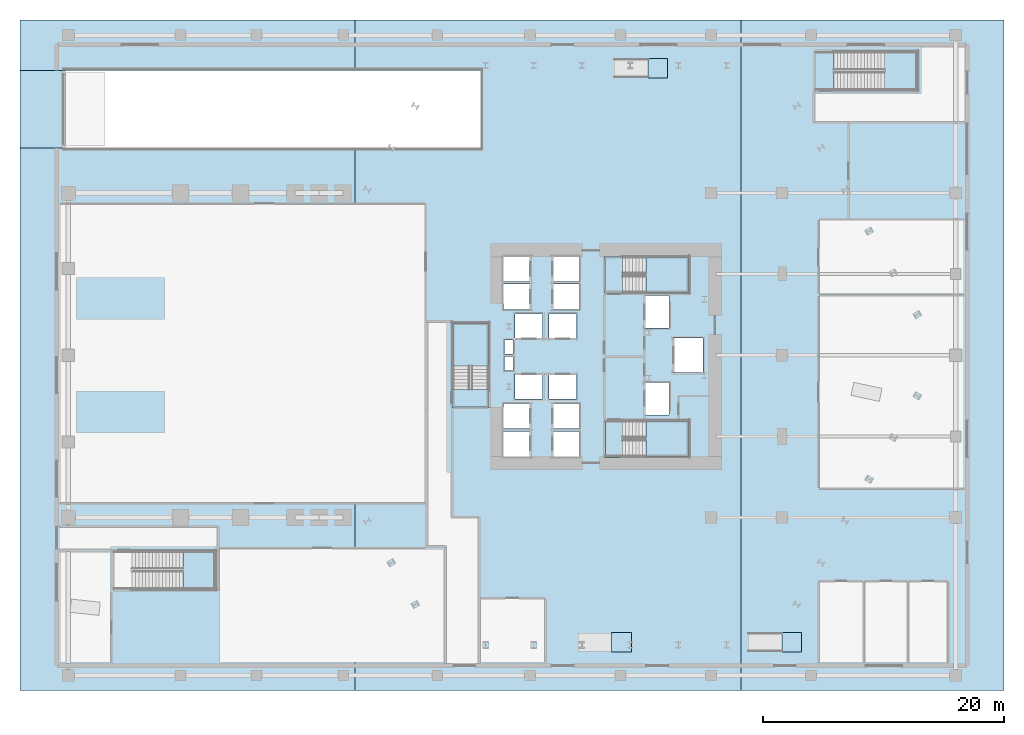
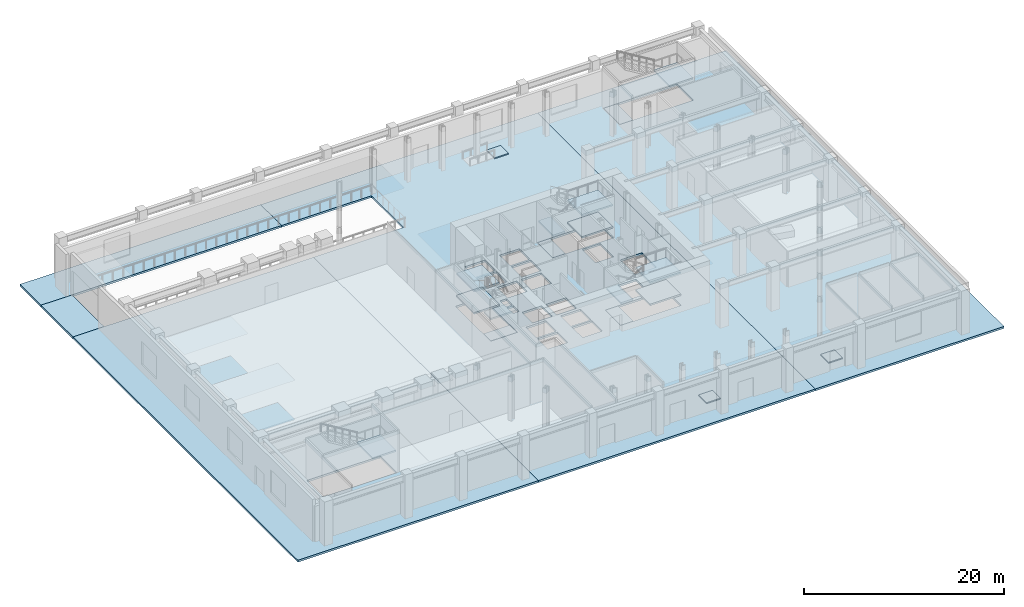
# One storey, part 2 of 18: 23 slabs, 8 elements without a shape of their own.
"""IFC4 building model written with IfcOpenShell, lengths in metres."""

from ifc_helpers import new_model, si_unit, direction, frame, origin, place, context, subcontext, project, spatial, polyline, outline, extrude, material, layer, layer_set, type_object, element, aggregate, save


model = new_model("IFC4")

# Units and contexts
model_context = context("Model", 3, precision=1e-05, world=origin(), true_north=direction((0.0, 1.0)))
body_context = subcontext(model_context, "Body", "Model", "MODEL_VIEW")
ifc_project = project(units=[si_unit("LENGTHUNIT", "METRE"), si_unit("AREAUNIT", "SQUARE_METRE"), si_unit("VOLUMEUNIT", "CUBIC_METRE"), si_unit("PLANEANGLEUNIT", "RADIAN"), si_unit("MASSUNIT", "GRAM", prefix="KILO")], contexts=[model_context])

# Site, building, storey
site_placement = place(None, origin())
site = spatial("IfcSite", under=ifc_project, at=site_placement, CompositionType="ELEMENT")
building_placement = place(site_placement, origin())
building = spatial("IfcBuilding", under=site, at=building_placement, Name="Valkerne Bourse Tower", CompositionType="ELEMENT")
storey_placement = place(building_placement, origin())
storey = spatial("IfcBuildingStorey", under=building, at=storey_placement, Name="L00", CompositionType="ELEMENT", Elevation=0.0)

# Slabs
ifc_material = material(Name="Concrete C40/50", Category="concrete")
ifc_layer_1 = layer(ifc_material, 0.25)
ifc_layer_set_1 = layer_set([ifc_layer_1], Name="Concrete C40/50")
slab_type_1 = type_object("IfcSlabType", Name="SLB-APRON-250", PredefinedType="FLOOR", material=ifc_layer_set_1)
slab_1_placement = place(storey_placement, frame((0.0, 0.0, -0.25)))
element("IfcSlab", 1, at=slab_1_placement, inside=storey, type_object=slab_type_1, Name="L00 West Street Vehicle Ramp Driveway Apron", PredefinedType="FLOOR", context=body_context, shape_type="SweptSolid", body=[
    extrude(outline(polyline([(-1.800048828125, 44.199951171875), (1.800048828125, 44.199951171875), (1.800048828125, 50.60009765625), (-1.800048828125, 50.60009765625), (-1.800048828125, 44.199951171875)])), origin(), (0.0, 0.0, 1.0), 0.25),
])
ifc_layer_2 = layer(ifc_material, 0.239990234375)
ifc_layer_set_2 = layer_set([ifc_layer_2], Name="Concrete C40/50")
slab_type_2 = type_object("IfcSlabType", Name="SLB-POD-240", PredefinedType="FLOOR", material=ifc_layer_set_2)
slab_2_placement = place(storey_placement, frame((0.0, 0.0, -0.239990234375)))
element("IfcSlab", 2, at=slab_2_placement, inside=storey, type_object=slab_type_2, Name="L00 Podium Composite Floor Slab W", PredefinedType="FLOOR", context=body_context, shape_type="SweptSolid", body=[
    extrude(outline(polyline([(26.0, -0.800048828125), (-1.800048828125, -0.800048828125), (-1.800048828125, 44.199951171875), (1.800048828125, 44.199951171875), (26.0, 44.199951171875), (26.0, -0.800048828125)]), holes=[polyline([(14.425048828125, 7.534912109375), (14.425048828125, 10.81494140625), (5.9150390625, 10.81494140625), (5.9150390625, 7.534912109375), (14.425048828125, 7.534912109375)])]), origin(), (0.0, 0.0, 1.0), 0.239990234375),
])
slab_3_placement = place(storey_placement, frame((0.0, 0.0, -0.239990234375)))
element("IfcSlab", 3, at=slab_3_placement, inside=storey, type_object=slab_type_2, Name="L00 Podium Composite Floor Slab W2", PredefinedType="FLOOR", context=body_context, shape_type="SweptSolid", body=[
    extrude(outline(polyline([(26.0, 54.800048828125), (26.0, 50.60009765625), (1.800048828125, 50.60009765625), (-1.800048828125, 50.60009765625), (-1.800048828125, 54.800048828125), (26.0, 54.800048828125)])), origin(), (0.0, 0.0, 1.0), 0.239990234375),
])
slab_4_placement = place(storey_placement, frame((0.0, 0.0, -0.239990234375)))
element("IfcSlab", 4, at=slab_4_placement, inside=storey, type_object=slab_type_2, Name="L00 Podium Composite Floor Slab C", PredefinedType="FLOOR", context=body_context, shape_type="SweptSolid", body=[
    extrude(outline(polyline([(26.0, 54.800048828125), (58.0, 54.800048828125), (58.0, -0.800048828125), (26.0, -0.800048828125), (26.0, 44.199951171875), (36.39990234375, 44.199951171875), (36.39990234375, 50.60009765625), (26.0, 50.60009765625), (26.0, 54.800048828125)]), holes=[polyline([(40.590087890625, 18.610107421875), (40.590087890625, 20.68994140625), (38.31005859375, 20.68994140625), (38.31005859375, 18.610107421875), (40.590087890625, 18.610107421875)]), polyline([(40.590087890625, 20.909912109375), (40.590087890625, 22.989990234375), (38.31005859375, 22.989990234375), (38.31005859375, 20.909912109375), (40.590087890625, 20.909912109375)]), polyline([(39.260009765625, 23.360107421875), (41.5400390625, 23.360107421875), (41.5400390625, 25.43994140625), (39.260009765625, 25.43994140625), (39.260009765625, 23.360107421875)]), polyline([(37.114990234375, 22.6650390625), (37.114990234375, 29.675048828125), (34.034912109375, 29.675048828125), (34.034912109375, 22.6650390625), (37.114990234375, 22.6650390625)]), polyline([(39.10009765625, 25.72998046875), (39.10009765625, 26.89990234375), (38.3798828125, 26.89990234375), (38.3798828125, 25.72998046875), (39.10009765625, 25.72998046875)]), polyline([(38.3798828125, 27.10009765625), (39.10009765625, 27.10009765625), (39.10009765625, 28.27001953125), (38.3798828125, 28.27001953125), (38.3798828125, 27.10009765625)]), polyline([(39.260009765625, 28.360107421875), (41.5400390625, 28.360107421875), (41.5400390625, 30.43994140625), (39.260009765625, 30.43994140625), (39.260009765625, 28.360107421875)]), polyline([(44.340087890625, 28.360107421875), (44.340087890625, 30.43994140625), (42.06005859375, 30.43994140625), (42.06005859375, 28.360107421875), (44.340087890625, 28.360107421875)]), polyline([(38.31005859375, 30.81005859375), (40.590087890625, 30.81005859375), (40.590087890625, 32.889892578125), (38.31005859375, 32.889892578125), (38.31005859375, 30.81005859375)]), polyline([(38.31005859375, 33.110107421875), (40.590087890625, 33.110107421875), (40.590087890625, 35.18994140625), (38.31005859375, 35.18994140625), (38.31005859375, 33.110107421875)]), polyline([(42.31005859375, 18.610107421875), (44.590087890625, 18.610107421875), (44.590087890625, 20.68994140625), (42.31005859375, 20.68994140625), (42.31005859375, 18.610107421875)]), polyline([(46.6650390625, 18.534912109375), (53.675048828125, 18.534912109375), (53.675048828125, 21.614990234375), (46.6650390625, 21.614990234375), (46.6650390625, 18.534912109375)]), polyline([(44.590087890625, 20.909912109375), (44.590087890625, 22.989990234375), (42.31005859375, 22.989990234375), (42.31005859375, 20.909912109375), (44.590087890625, 20.909912109375)]), polyline([(49.9599609375, 22.06005859375), (52.0400390625, 22.06005859375), (52.0400390625, 24.739990234375), (49.9599609375, 24.739990234375), (49.9599609375, 22.06005859375)]), polyline([(42.06005859375, 23.360107421875), (44.340087890625, 23.360107421875), (44.340087890625, 25.43994140625), (42.06005859375, 25.43994140625), (42.06005859375, 23.360107421875)]), polyline([(54.840087890625, 25.56005859375), (54.840087890625, 28.43994140625), (52.360107421875, 28.43994140625), (52.360107421875, 25.56005859375), (54.840087890625, 25.56005859375)]), polyline([(49.9599609375, 29.260009765625), (52.0400390625, 29.260009765625), (52.0400390625, 31.93994140625), (49.9599609375, 31.93994140625), (49.9599609375, 29.260009765625)]), polyline([(42.31005859375, 30.81005859375), (44.590087890625, 30.81005859375), (44.590087890625, 32.889892578125), (42.31005859375, 32.889892578125), (42.31005859375, 30.81005859375)]), polyline([(53.675048828125, 32.135009765625), (53.675048828125, 35.215087890625), (46.6650390625, 35.215087890625), (46.6650390625, 32.135009765625), (53.675048828125, 32.135009765625)]), polyline([(42.31005859375, 33.110107421875), (44.590087890625, 33.110107421875), (44.590087890625, 35.18994140625), (42.31005859375, 35.18994140625), (42.31005859375, 33.110107421875)])]), origin(), (0.0, 0.0, 1.0), 0.239990234375),
])
slab_5_placement = place(storey_placement, frame((0.0, 0.0, -0.239990234375)))
element("IfcSlab", 5, at=slab_5_placement, inside=storey, type_object=slab_type_2, Name="L00 Podium Composite Floor Slab E", PredefinedType="FLOOR", context=body_context, shape_type="SweptSolid", body=[
    extrude(outline(polyline([(58.0, -0.800048828125), (58.0, 54.800048828125), (79.800048828125, 54.800048828125), (79.800048828125, -0.800048828125), (58.0, -0.800048828125)]), holes=[polyline([(64.114990234375, 48.93505859375), (72.625, 48.93505859375), (72.625, 52.215087890625), (64.114990234375, 52.215087890625), (64.114990234375, 48.93505859375)])]), origin(), (0.0, 0.0, 1.0), 0.239990234375),
])
ifc_layer_3 = layer(ifc_material, 0.25)
ifc_layer_set_3 = layer_set([ifc_layer_3], Name="Concrete C40/50")
slab_type_3 = type_object("IfcSlabType", Name="SLB-RMP-LND-250", PredefinedType="LANDING", material=ifc_layer_set_3)
slab_6_placement = place(storey_placement, frame((0.0, 0.0, -0.239990234375)))
element("IfcSlab", 6, at=slab_6_placement, inside=storey, type_object=slab_type_3, Name="L00 ST-1 Floor Landing Slab", PredefinedType="LANDING", context=body_context, shape_type="SweptSolid", body=[
    extrude(outline(polyline([(46.669921875, 18.5400390625), (48.14990234375, 18.5400390625), (48.14990234375, 21.610107421875), (46.669921875, 21.610107421875), (46.669921875, 18.5400390625)])), origin(), (0.0, 0.0, 1.0), 0.239990234375),
])
slab_7_placement = place(storey_placement, frame((0.0, 0.0, -0.239990234375)))
element("IfcSlab", 7, at=slab_7_placement, inside=storey, type_object=slab_type_3, Name="L00 ST-2 Floor Landing Slab", PredefinedType="LANDING", context=body_context, shape_type="SweptSolid", body=[
    extrude(outline(polyline([(46.669921875, 32.139892578125), (48.14990234375, 32.139892578125), (48.14990234375, 35.2099609375), (46.669921875, 35.2099609375), (46.669921875, 32.139892578125)])), origin(), (0.0, 0.0, 1.0), 0.239990234375),
])
slab_8_placement = place(storey_placement, frame((0.0, 0.0, -0.239990234375)))
element("IfcSlab", 8, at=slab_8_placement, inside=storey, type_object=slab_type_3, Name="L00 ST-3 Floor Landing Slab", PredefinedType="LANDING", context=body_context, shape_type="SweptSolid", body=[
    extrude(outline(polyline([(37.110107421875, 22.669921875), (37.110107421875, 24.14990234375), (34.0400390625, 24.14990234375), (34.0400390625, 22.669921875), (37.110107421875, 22.669921875)])), origin(), (0.0, 0.0, 1.0), 0.239990234375),
])
slab_9_placement = place(storey_placement, frame((0.0, 0.0, -0.239990234375)))
element("IfcSlab", 9, at=slab_9_placement, inside=storey, type_object=slab_type_3, Name="L00 ST-P2 Floor Landing Slab", PredefinedType="LANDING", context=body_context, shape_type="SweptSolid", body=[
    extrude(outline(polyline([(64.1201171875, 48.93994140625), (65.699951171875, 48.93994140625), (65.699951171875, 52.2099609375), (64.1201171875, 52.2099609375), (64.1201171875, 48.93994140625)])), origin(), (0.0, 0.0, 1.0), 0.239990234375),
])

# Ramp, slab
ramp_type = type_object("IfcRampType", Name="RMP-PED-TYPE", PredefinedType="STRAIGHT_RUN_RAMP", material=ifc_material)
ramp_1_placement = place(storey_placement, origin())
ramp_1 = element("IfcRamp", 10, at=ramp_1_placement, inside=storey, type_object=ramp_type, Name="East Lobby Threshold Accessible Ramp 1", PredefinedType="STRAIGHT_RUN_RAMP")
slab_10_placement = place(storey_placement, origin())
slab_10 = element("IfcSlab", 11, at=slab_10_placement, type_object=slab_type_3, Name="East Lobby Threshold Accessible Ramp 1 Top Landing", PredefinedType="LANDING", context=body_context, shape_type="SweptSolid", body=[
    extrude(outline(polyline([(61.3701171875, 2.39990234375), (63.0, 2.39990234375), (63.0, 4.0), (61.3701171875, 4.0), (61.3701171875, 2.39990234375)])), origin(), (0.0, 0.0, 1.0), 0.1201171875),
])
aggregate(ramp_1, [slab_10])

ramp_2_placement = place(storey_placement, origin())
ramp_2 = element("IfcRamp", 12, at=ramp_2_placement, inside=storey, type_object=ramp_type, Name="North Concourse Threshold Accessible Ramp 2", PredefinedType="STRAIGHT_RUN_RAMP")
slab_11_placement = place(storey_placement, origin())
slab_11 = element("IfcSlab", 13, at=slab_11_placement, type_object=slab_type_3, Name="North Concourse Threshold Accessible Ramp 2 Top Landing", PredefinedType="LANDING", context=body_context, shape_type="SweptSolid", body=[
    extrude(outline(polyline([(50.27001953125, 50.0), (51.89990234375, 50.0), (51.89990234375, 51.60009765625), (50.27001953125, 51.60009765625), (50.27001953125, 50.0)])), origin(), (0.0, 0.0, 1.0), 0.1201171875),
])
aggregate(ramp_2, [slab_11])

ramp_3_placement = place(storey_placement, origin())
ramp_3 = element("IfcRamp", 14, at=ramp_3_placement, inside=storey, type_object=ramp_type, Name="South Main Concourse Threshold Accessible Ramp 5", PredefinedType="STRAIGHT_RUN_RAMP")
slab_12_placement = place(storey_placement, origin())
slab_12 = element("IfcSlab", 15, at=slab_12_placement, type_object=slab_type_3, Name="South Main Concourse Threshold Accessible Ramp 5 Top Landing", PredefinedType="LANDING", context=body_context, shape_type="SweptSolid", body=[
    extrude(outline(polyline([(47.27001953125, 2.39990234375), (48.89990234375, 2.39990234375), (48.89990234375, 4.0), (47.27001953125, 4.0), (47.27001953125, 2.39990234375)])), origin(), (0.0, 0.0, 1.0), 0.1201171875),
])
aggregate(ramp_3, [slab_12])

# Stair, slabs
stair_type_1 = type_object("IfcStairType", Name="ST-CORE-1400", PredefinedType="HALF_TURN_STAIR", material=ifc_material)
stair_1_placement = place(storey_placement, origin())
stair_1 = element("IfcStair", 16, at=stair_1_placement, inside=storey, type_object=stair_type_1, Name="L00 ST-1", PredefinedType="HALF_TURN_STAIR")
ifc_layer_4 = layer(ifc_material, 0.179931640625)
ifc_layer_set_4 = layer_set([ifc_layer_4], Name="Concrete C40/50")
slab_type_4 = type_object("IfcSlabType", Name="SLB-ST-LND-180", PredefinedType="LANDING", material=ifc_layer_set_4)
slab_13_placement = place(storey_placement, frame((0.0, 0.0, 1.14990234375)))
slab_13 = element("IfcSlab", 17, at=slab_13_placement, type_object=slab_type_4, Name="ST-1 landing 1", PredefinedType="LANDING", context=body_context, shape_type="SweptSolid", body=[
    extrude(outline(polyline([(50.110107421875, 18.60009765625), (53.64990234375, 18.60009765625), (53.64990234375, 21.550048828125), (50.110107421875, 21.550048828125), (50.110107421875, 18.60009765625)])), origin(), (0.0, 0.0, 1.0), 0.2001953125),
])
slab_14_placement = place(storey_placement, frame((0.0, 0.0, 2.5)))
slab_14 = element("IfcSlab", 18, at=slab_14_placement, type_object=slab_type_4, Name="ST-1 landing 2", PredefinedType="LANDING", context=body_context, shape_type="SweptSolid", body=[
    extrude(outline(polyline([(46.75, 18.60009765625), (48.14990234375, 18.60009765625), (48.14990234375, 21.550048828125), (46.75, 21.550048828125), (46.75, 18.60009765625)])), origin(), (0.0, 0.0, 1.0), 0.199951171875),
])
slab_15_placement = place(storey_placement, frame((0.0, 0.0, 3.85009765625)))
slab_15 = element("IfcSlab", 19, at=slab_15_placement, type_object=slab_type_4, Name="ST-1 landing 3", PredefinedType="LANDING", context=body_context, shape_type="SweptSolid", body=[
    extrude(outline(polyline([(50.110107421875, 18.60009765625), (53.64990234375, 18.60009765625), (53.64990234375, 21.550048828125), (50.110107421875, 21.550048828125), (50.110107421875, 18.60009765625)])), origin(), (0.0, 0.0, 1.0), 0.199951171875),
])
aggregate(stair_1, [slab_13, slab_14, slab_15])

stair_2_placement = place(storey_placement, origin())
stair_2 = element("IfcStair", 20, at=stair_2_placement, inside=storey, type_object=stair_type_1, Name="L00 ST-2", PredefinedType="HALF_TURN_STAIR")
slab_16_placement = place(storey_placement, frame((0.0, 0.0, 1.14990234375)))
slab_16 = element("IfcSlab", 21, at=slab_16_placement, type_object=slab_type_4, Name="ST-2 landing 1", PredefinedType="LANDING", context=body_context, shape_type="SweptSolid", body=[
    extrude(outline(polyline([(50.110107421875, 32.199951171875), (53.64990234375, 32.199951171875), (53.64990234375, 35.14990234375), (50.110107421875, 35.14990234375), (50.110107421875, 32.199951171875)])), origin(), (0.0, 0.0, 1.0), 0.2001953125),
])
slab_17_placement = place(storey_placement, frame((0.0, 0.0, 2.5)))
slab_17 = element("IfcSlab", 22, at=slab_17_placement, type_object=slab_type_4, Name="ST-2 landing 2", PredefinedType="LANDING", context=body_context, shape_type="SweptSolid", body=[
    extrude(outline(polyline([(46.75, 32.199951171875), (48.14990234375, 32.199951171875), (48.14990234375, 35.14990234375), (46.75, 35.14990234375), (46.75, 32.199951171875)])), origin(), (0.0, 0.0, 1.0), 0.199951171875),
])
slab_18_placement = place(storey_placement, frame((0.0, 0.0, 3.85009765625)))
slab_18 = element("IfcSlab", 23, at=slab_18_placement, type_object=slab_type_4, Name="ST-2 landing 3", PredefinedType="LANDING", context=body_context, shape_type="SweptSolid", body=[
    extrude(outline(polyline([(50.110107421875, 32.199951171875), (53.64990234375, 32.199951171875), (53.64990234375, 35.14990234375), (50.110107421875, 35.14990234375), (50.110107421875, 32.199951171875)])), origin(), (0.0, 0.0, 1.0), 0.199951171875),
])
aggregate(stair_2, [slab_16, slab_17, slab_18])

stair_3_placement = place(storey_placement, origin())
stair_3 = element("IfcStair", 24, at=stair_3_placement, inside=storey, type_object=stair_type_1, Name="L00 ST-3", PredefinedType="HALF_TURN_STAIR")
slab_19_placement = place(storey_placement, frame((0.0, 0.0, 1.14990234375)))
slab_19 = element("IfcSlab", 25, at=slab_19_placement, type_object=slab_type_4, Name="ST-3 landing 1", PredefinedType="LANDING", context=body_context, shape_type="SweptSolid", body=[
    extrude(outline(polyline([(37.050048828125, 26.110107421875), (37.050048828125, 29.64990234375), (34.10009765625, 29.64990234375), (34.10009765625, 26.110107421875), (37.050048828125, 26.110107421875)])), origin(), (0.0, 0.0, 1.0), 0.2001953125),
])
slab_20_placement = place(storey_placement, frame((0.0, 0.0, 2.5)))
slab_20 = element("IfcSlab", 26, at=slab_20_placement, type_object=slab_type_4, Name="ST-3 landing 2", PredefinedType="LANDING", context=body_context, shape_type="SweptSolid", body=[
    extrude(outline(polyline([(37.050048828125, 22.75), (37.050048828125, 24.14990234375), (34.10009765625, 24.14990234375), (34.10009765625, 22.75), (37.050048828125, 22.75)])), origin(), (0.0, 0.0, 1.0), 0.199951171875),
])
slab_21_placement = place(storey_placement, frame((0.0, 0.0, 3.85009765625)))
slab_21 = element("IfcSlab", 27, at=slab_21_placement, type_object=slab_type_4, Name="ST-3 landing 3", PredefinedType="LANDING", context=body_context, shape_type="SweptSolid", body=[
    extrude(outline(polyline([(37.050048828125, 26.110107421875), (37.050048828125, 29.64990234375), (34.10009765625, 29.64990234375), (34.10009765625, 26.110107421875), (37.050048828125, 26.110107421875)])), origin(), (0.0, 0.0, 1.0), 0.199951171875),
])
aggregate(stair_3, [slab_19, slab_20, slab_21])

# Stair, slab
stair_type_2 = type_object("IfcStairType", Name="ST-POD-1500", PredefinedType="HALF_TURN_STAIR", material=ifc_material)
stair_4_placement = place(storey_placement, origin())
stair_4 = element("IfcStair", 28, at=stair_4_placement, inside=storey, type_object=stair_type_2, Name="L00 ST-P1", PredefinedType="HALF_TURN_STAIR")
slab_22_placement = place(storey_placement, frame((0.0, 0.0, 2.5)))
slab_22 = element("IfcSlab", 29, at=slab_22_placement, type_object=slab_type_4, Name="ST-P1 landing 1", PredefinedType="LANDING", context=body_context, shape_type="SweptSolid", body=[
    extrude(outline(polyline([(11.699951171875, 7.60009765625), (14.39990234375, 7.60009765625), (14.39990234375, 10.75), (11.699951171875, 10.75), (11.699951171875, 7.60009765625)])), origin(), (0.0, 0.0, 1.0), 0.199951171875),
])
aggregate(stair_4, [slab_22])

stair_5_placement = place(storey_placement, origin())
stair_5 = element("IfcStair", 30, at=stair_5_placement, inside=storey, type_object=stair_type_2, Name="L00 ST-P2", PredefinedType="HALF_TURN_STAIR")
slab_23_placement = place(storey_placement, frame((0.0, 0.0, 2.5)))
slab_23 = element("IfcSlab", 31, at=slab_23_placement, type_object=slab_type_4, Name="ST-P2 landing 1", PredefinedType="LANDING", context=body_context, shape_type="SweptSolid", body=[
    extrude(outline(polyline([(69.89990234375, 49.0), (72.60009765625, 49.0), (72.60009765625, 52.14990234375), (69.89990234375, 52.14990234375), (69.89990234375, 49.0)])), origin(), (0.0, 0.0, 1.0), 0.199951171875),
])
aggregate(stair_5, [slab_23])

save(model, "model.ifc")
